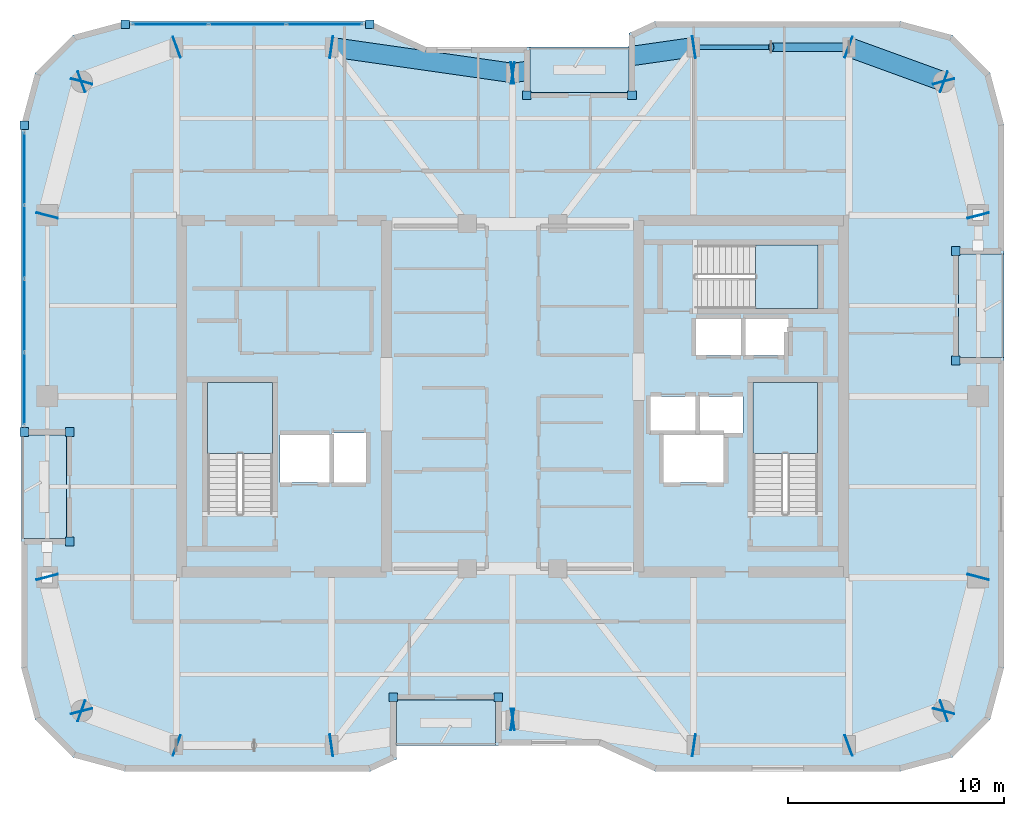
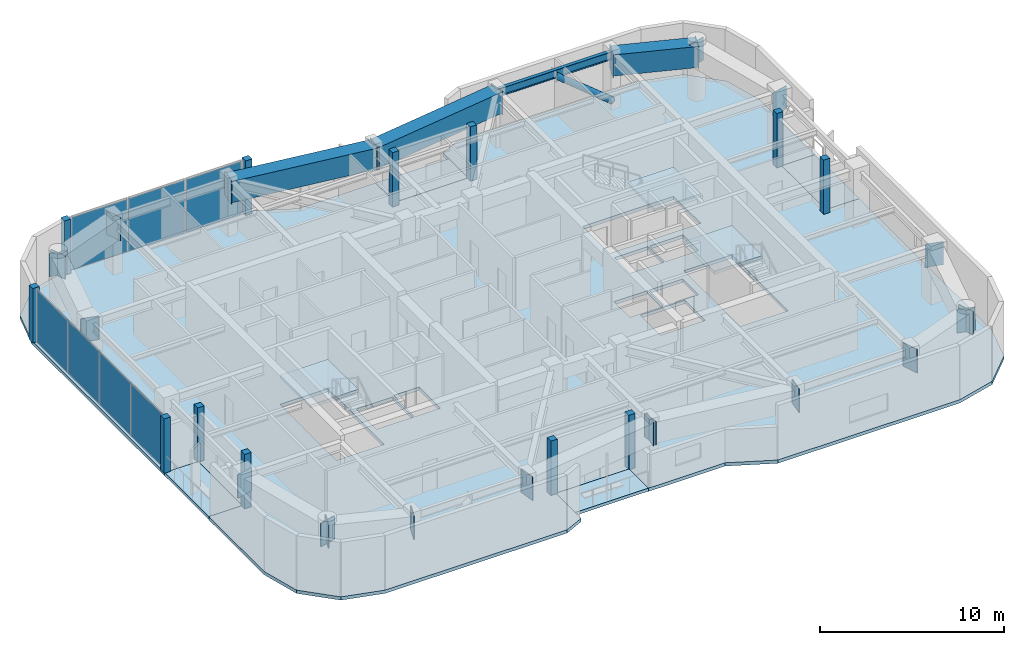
# One storey, part 7 of 15: 43 plates, 8 slabs, 4 beams, 1 member, 5 elements without a shape of their own.
"""IFC4 building model written with IfcOpenShell, lengths in metres."""

import ifcopenshell
import ifcopenshell.guid

model = None  # the IFC model being written
_history = None  # IfcOwnerHistory: only IFC2X3 demands one
_inside = {}  # id of a spatial element -> (the spatial element, [elements in it])
_under = {}  # id of a project, library or spatial element -> (it, [spatial elements below it])
_declared = {}  # id of a project -> (the project, [libraries it declares])
_typed = {}  # id of a type object -> (the type object, [elements of that type])
_made_of = {}  # id of a material, layer set ... -> (it, [elements and type objects made of it])


def new_model(schema):
    """Start an empty IFC model of exactly this schema.

    Asked for "IFC4X3", IfcOpenShell would pick the latest addendum, in which some entities
    have other attributes; the version numbers below select the first issue.
    IFC2X3 requires an IfcOwnerHistory on every rooted entity: one is made here for all.
    """
    global model, _history
    if schema == "IFC4X3":
        model = ifcopenshell.file(schema_version=(4, 3, 0, 0))
    else:
        model = ifcopenshell.file(schema=schema)
    _inside.clear()
    _under.clear()
    _declared.clear()
    _typed.clear()
    _made_of.clear()
    _history = None
    if model.schema == "IFC2X3":
        org = make("IfcOrganization", Name="unknown")
        user = make(
            "IfcPersonAndOrganization",
            ThePerson=make("IfcPerson", FamilyName="unknown"),
            TheOrganization=org,
        )
        app = make(
            "IfcApplication",
            ApplicationDeveloper=org,
            Version="unknown",
            ApplicationFullName="unknown",
            ApplicationIdentifier="unknown",
        )
        _history = make(
            "IfcOwnerHistory",
            OwningUser=user,
            OwningApplication=app,
            ChangeAction="ADDED",
            CreationDate=0,
        )
    return model


def make(cls, **values):
    """One entity of the class cls with the attributes given. An attribute that is None is left unset."""
    return model.create_entity(
        cls, **{name: value for name, value in values.items() if value is not None}
    )


def rooted(cls, **values):
    """An entity with a GlobalId (a new one), such as an element, a storey or a relation."""
    return make(cls, GlobalId=ifcopenshell.guid.new(), OwnerHistory=_history, **values)


def si_unit(unit_type, name, prefix=None):
    """IfcSIUnit, for example si_unit("LENGTHUNIT", "METRE", prefix="MILLI")."""
    return make("IfcSIUnit", UnitType=unit_type, Prefix=prefix, Name=name)


def assignment(units):
    """IfcUnitAssignment: the units of a project."""
    return None if units is None else make("IfcUnitAssignment", Units=units)


def point(xyz):
    """IfcCartesianPoint."""
    return None if xyz is None else make("IfcCartesianPoint", Coordinates=xyz)


def direction(xyz):
    """IfcDirection."""
    return None if xyz is None else make("IfcDirection", DirectionRatios=xyz)


def frame(location, z_axis=None, x_axis=None):
    """IfcAxis2Placement3D, a coordinate frame: its origin and axes. An axis left out is left unset."""
    return make(
        "IfcAxis2Placement3D",
        Location=point(location),
        Axis=direction(z_axis),
        RefDirection=direction(x_axis),
    )


def frame_2d(location, x_axis=None):
    """IfcAxis2Placement2D, a coordinate frame in the plane: its origin and x axis."""
    return make(
        "IfcAxis2Placement2D", Location=point(location), RefDirection=direction(x_axis)
    )


def origin():
    """The frame at (0, 0, 0) with its axes left unset."""
    return frame((0.0, 0.0, 0.0))


def origin_2d():
    """The frame at (0, 0) in the plane with its x axis left unset."""
    return frame_2d((0.0, 0.0))


def place(relative_to, where):
    """IfcLocalPlacement: puts the frame where relative to a parent placement (None: the world)."""
    return make(
        "IfcLocalPlacement", PlacementRelTo=relative_to, RelativePlacement=where
    )


def context(
    kind, dimensions, precision=None, world=None, true_north=None, identifier=None
):
    """IfcGeometricRepresentationContext, for example the 3D "Model" context."""
    return make(
        "IfcGeometricRepresentationContext",
        ContextIdentifier=identifier,
        ContextType=kind,
        CoordinateSpaceDimension=dimensions,
        Precision=precision,
        WorldCoordinateSystem=world,
        TrueNorth=true_north,
    )


def subcontext(parent, identifier, kind, view, scale=None):
    """IfcGeometricRepresentationSubContext, for example "Body" below "Model"."""
    return make(
        "IfcGeometricRepresentationSubContext",
        ContextIdentifier=identifier,
        ContextType=kind,
        ParentContext=parent,
        TargetScale=scale,
        TargetView=view,
    )


def project(units=None, contexts=None):
    """IfcProject with its units and contexts."""
    return rooted(
        "IfcProject",
        Name="project",
        RepresentationContexts=contexts,
        UnitsInContext=assignment(units),
    )


def spatial(cls, under=None, at=None, **own):
    """A site, building, storey or space (cls), placed at a placement, below another one or the project."""
    s = rooted(cls, ObjectPlacement=at, **own)
    if under is not None:
        _under.setdefault(under.id(), (under, []))[1].append(s)
    return s


def polyline(points):
    """IfcPolyline through the points."""
    return make("IfcPolyline", Points=[point(p) for p in points])


def profile(cls, at=None, kind="AREA", **sizes):
    """A parametric profile (cls). Its sizes go by their IFC names, for example OverallWidth=200.0."""
    return make(cls, ProfileType=kind, Position=at, **sizes)


def rectangle(**sizes):
    """IfcRectangleProfileDef."""
    return profile("IfcRectangleProfileDef", **sizes)


def hollow_rectangle(**sizes):
    """IfcRectangleHollowProfileDef."""
    return profile("IfcRectangleHollowProfileDef", **sizes)


def hollow_circle(**sizes):
    """IfcCircleHollowProfileDef."""
    return profile("IfcCircleHollowProfileDef", **sizes)


def i_section(**sizes):
    """IfcIShapeProfileDef."""
    return profile("IfcIShapeProfileDef", **sizes)


def outline(outer, holes=None, kind="AREA"):
    """IfcArbitraryClosedProfileDef: a profile drawn as a closed curve; with holes, ...WithVoids."""
    if holes is None:
        return make("IfcArbitraryClosedProfileDef", ProfileType=kind, OuterCurve=outer)
    return make(
        "IfcArbitraryProfileDefWithVoids",
        ProfileType=kind,
        OuterCurve=outer,
        InnerCurves=holes,
    )


def extrude(swept, where, along, depth):
    """IfcExtrudedAreaSolid: the profile swept, set in the frame where, extruded along a direction by depth."""
    return make(
        "IfcExtrudedAreaSolid",
        SweptArea=swept,
        Position=where,
        ExtrudedDirection=direction(along),
        Depth=depth,
    )


def shape(context_of_items, identifier, shape_type, items):
    """IfcShapeRepresentation: the items that make up one representation, for example the "Body"."""
    return make(
        "IfcShapeRepresentation",
        ContextOfItems=context_of_items,
        RepresentationIdentifier=identifier,
        RepresentationType=shape_type,
        Items=items,
    )


def material(Name=None, Category=None):
    """IfcMaterial."""
    return make("IfcMaterial", Name=Name, Category=Category)


def layer(
    of_material, thickness, ventilated=None, Name=None, Category=None, Priority=None
):
    """IfcMaterialLayer: one layer of a wall or slab, of a material (None: an air gap)."""
    return make(
        "IfcMaterialLayer",
        Material=of_material,
        LayerThickness=thickness,
        IsVentilated=ventilated,
        Name=Name,
        Category=Category,
        Priority=Priority,
    )


def layer_set(layers, Name=None):
    """IfcMaterialLayerSet."""
    return make("IfcMaterialLayerSet", MaterialLayers=layers, LayerSetName=Name)


def material_profile(
    of_material, cross_section, Name=None, Category=None, Priority=None
):
    """IfcMaterialProfile: a cross section and its material."""
    return make(
        "IfcMaterialProfile",
        Name=Name,
        Material=of_material,
        Profile=cross_section,
        Priority=Priority,
        Category=Category,
    )


def profile_set(profiles, Name=None, composite=None):
    """IfcMaterialProfileSet."""
    return make(
        "IfcMaterialProfileSet",
        Name=Name,
        MaterialProfiles=profiles,
        CompositeProfile=composite,
    )


def made_of(thing, what):
    """Note that an element or type object is made of a material, layer set ...; save() writes the relation."""
    if what is not None:
        _made_of.setdefault(what.id(), (what, []))[1].append(thing)
    return thing


def type_object(cls, material=None, **own):
    """A type object (cls), such as IfcWallType, which elements share."""
    return made_of(rooted(cls, **own), material)


def element(
    cls,
    number,
    at=None,
    inside=None,
    cuts=None,
    type_object=None,
    material=None,
    context=None,
    identifier="Body",
    shape_type=None,
    held_by="IfcProductDefinitionShape",
    body=None,
    shapes=None,
    **own,
):
    """One element of the class cls, such as IfcWall. Its Tag is "e" and its number.

    at: its placement. inside: the storey or other place that contains it. cuts: it is an
    opening in that element (IfcRelVoidsElement). A single representation is given by context,
    identifier, shape_type and body (its items); several are given by shapes. held_by: the class
    of the entity that holds the representations. save() writes the other relations.
    """
    e = rooted(cls, Tag="e%d" % number, ObjectPlacement=at, **own)
    if body is not None:
        shapes = [shape(context, identifier, shape_type, body)]
    if shapes is not None:
        e.Representation = make(held_by, Representations=shapes)
    if inside is not None:
        _inside.setdefault(inside.id(), (inside, []))[1].append(e)
    if cuts is not None:
        rooted(
            "IfcRelVoidsElement", RelatingBuildingElement=cuts, RelatedOpeningElement=e
        )
    if type_object is not None:
        _typed.setdefault(type_object.id(), (type_object, []))[1].append(e)
    return made_of(e, material)


def aggregate(whole, parts):
    """IfcRelAggregates: a whole, such as a stair, and the parts it consists of."""
    return rooted("IfcRelAggregates", RelatingObject=whole, RelatedObjects=parts)


def save(model, path):
    """Write the relations noted so far, then the file.

    IfcRelAggregates (storeys below a building ...), IfcRelContainedInSpatialStructure (elements
    in a storey), IfcRelDefinesByType, IfcRelAssociatesMaterial and IfcRelDeclares: one each for
    every whole, place, type object, material and project.
    """
    for whole, parts in _under.values():
        aggregate(whole, parts)
    for where, things in _inside.values():
        rooted(
            "IfcRelContainedInSpatialStructure",
            RelatedElements=things,
            RelatingStructure=where,
        )
    for kind, things in _typed.values():
        rooted("IfcRelDefinesByType", RelatedObjects=things, RelatingType=kind)
    for what, things in _made_of.values():
        rooted("IfcRelAssociatesMaterial", RelatedObjects=things, RelatingMaterial=what)
    for by, libraries in _declared.values():
        rooted("IfcRelDeclares", RelatingContext=by, RelatedDefinitions=libraries)
    model.write(path)


model = new_model("IFC4")

# Units and contexts
model_context = context("Model", 3, precision=1e-05, world=origin(), true_north=direction((0.0, 1.0)))
body_context = subcontext(model_context, "Body", "Model", "MODEL_VIEW")
ifc_project = project(units=[si_unit("LENGTHUNIT", "METRE"), si_unit("AREAUNIT", "SQUARE_METRE"), si_unit("VOLUMEUNIT", "CUBIC_METRE"), si_unit("PLANEANGLEUNIT", "RADIAN"), si_unit("MASSUNIT", "GRAM", prefix="KILO")], contexts=[model_context])

# Site, building, storey
site_placement = place(None, origin())
site = spatial("IfcSite", under=ifc_project, at=site_placement, CompositionType="ELEMENT")
building_placement = place(site_placement, origin())
building = spatial("IfcBuilding", under=site, at=building_placement, Name="Kiyonajd Concourse Tower", CompositionType="ELEMENT")
storey_placement = place(building_placement, frame((0.0, 0.0, 278.39990234375)))
storey = spatial("IfcBuildingStorey", under=building, at=storey_placement, Name="L70", CompositionType="ELEMENT", Elevation=278.39990234375)

# Beams
ifc_material_1 = material(Name="Steel ASTM A992 Grade 50", Category="steel")
ifc_material_profile_1 = material_profile(ifc_material_1, i_section(OverallWidth=0.2109375, OverallDepth=0.5390625, WebThickness=0.01171875, FlangeThickness=0.018798828125, at=origin_2d()), Name="W530X109")
ifc_profile_set_1 = profile_set([ifc_material_profile_1], Name="Steel ASTM A992 Grade 50")
beam_type_1 = type_object("IfcBeamType", Name="BM-SPAN-530B", PredefinedType="SPANDREL", material=ifc_profile_set_1)
beam_1_placement = place(storey_placement, frame((63.60009765625, 52.199951171875, 3.33056640625), z_axis=(-1.0, 0.0, 0.0), x_axis=(0.0, -1.0, 0.0)))
element("IfcBeam", 1, at=beam_1_placement, inside=storey, type_object=beam_type_1, Name="L70 Perimeter Bundled Tube Spandrel", PredefinedType="SPANDREL", context=body_context, shape_type="SweptSolid", body=[
    extrude(i_section(OverallWidth=0.2109375, OverallDepth=0.5390625, WebThickness=0.01171875, FlangeThickness=0.018798828125, at=origin_2d()), origin(), (0.0, 0.0, 1.0), 7.2001953125),
])
ifc_material_2 = material(Name="Steel ASTM A572 Grade 50", Category="steel")
ifc_material_profile_2 = material_profile(ifc_material_2, hollow_rectangle(XDim=0.89990234375, YDim=1.39990234375, WallThickness=0.070068359375, at=origin_2d()), Name="BOX-1400x900x70")
ifc_profile_set_2 = profile_set([ifc_material_profile_2], Name="Steel ASTM A572 Grade 50")
beam_type_2 = type_object("IfcBeamType", Name="BM-XFER-1400", PredefinedType="BEAM", material=ifc_profile_set_2)
beam_2_placement = place(storey_placement, frame((68.0, 50.60009765625, 2.900146484375), z_axis=(-0.939801036019, 0.341722127901, 0.0), x_axis=(-0.341722127901, -0.939801036019, 0.0)))
element("IfcBeam", 2, at=beam_2_placement, inside=storey, type_object=beam_type_2, Name="L70 Perimeter Bundled Tube Spandrel", PredefinedType="BEAM", context=body_context, shape_type="SweptSolid", body=[
    extrude(hollow_rectangle(XDim=0.89990234375, YDim=1.39990234375, WallThickness=0.070068359375, at=origin_2d()), origin(), (0.0, 0.0, 1.0), 4.681640625),
])
for number, where, z_axis, x_axis, name in (
    (3, (56.39990234375, 52.199951171875, 2.900146484375), (-0.989950069105, -0.141417328072, 0.0), (0.141417328072, -0.989950069105, 0.0), "L70 Perimeter Bundled Tube Spandrel"),
    (4, (48.0, 51.0, 2.900146484375), (-0.989950069105, 0.141417328072, 0.0), (-0.141417328072, -0.989950069105, 0.0), "L70 Perimeter Bundled Tube Spandrel"),
):
    element("IfcBeam", number, at=place(storey_placement, frame(where, z_axis=z_axis, x_axis=x_axis)), inside=storey, type_object=beam_type_2, Name=name, PredefinedType="BEAM", context=body_context, shape_type="SweptSolid", body=[
        extrude(hollow_rectangle(XDim=0.89990234375, YDim=1.39990234375, WallThickness=0.070068359375, at=origin_2d()), origin(), (0.0, 0.0, 1.0), 8.485107421875),
    ])

# Member
ifc_material_3 = material(Name="Steel ASTM A500 Grade C", Category="steel")
ifc_material_profile_3 = material_profile(ifc_material_3, hollow_circle(Radius=0.202880859375, WallThickness=0.01904296875, at=origin_2d()), Name="CHS-406x19")
ifc_profile_set_3 = profile_set([ifc_material_profile_3], Name="Steel ASTM A500 Grade C")
member_type = type_object("IfcMemberType", Name="MB-PB-HIGH", PredefinedType="BRACE", material=ifc_profile_set_3)
member_placement = place(storey_placement, frame((63.60009765625, 52.199951171875, 0.300048828125), z_axis=(-0.773492012438, 0.0, 0.633806048168), x_axis=(0.0, -1.0, 0.0)))
element("IfcMember", 5, at=member_placement, inside=storey, type_object=member_type, Name="L70 Upper Zone Hollow Tube Brace PBN", PredefinedType="BRACE", context=body_context, shape_type="SweptSolid", body=[
    extrude(hollow_circle(Radius=0.202880859375, WallThickness=0.01904296875, at=origin_2d()), origin(), (0.0, 0.0, 1.0), 4.654296875),
])

# Plates
ifc_layer_1 = layer(ifc_material_2, 0.031982421875)
ifc_layer_set_1 = layer_set([ifc_layer_1], Name="Steel ASTM A572 Grade 50")
plate_type_1 = type_object("IfcPlateType", Name="PL-CAP-540", PredefinedType="USERDEFINED", material=ifc_layer_set_1)
for number, where, z_axis, x_axis, name in (
    (6, (26.397216796875, 27.610595703125, 2.130126953125), (0.0, 0.0, 1.0), (-0.249873048837, 0.968278606324, 0.0), "L70 Welded Box Girder End Cap"),
    (7, (28.002685546875, 21.389404296875, 2.130126953125), (0.0, 0.0, 1.0), (0.249873048837, -0.968278606324, 0.0), "L70 Welded Box Girder End Cap"),
    (8, (27.98974609375, 21.40380859375, 2.130126953125), (0.0, 0.0, 1.0), (-0.939811951086, 0.341692107891, 0.0), "L70 Welded Box Girder End Cap"),
    (9, (32.410400390625, 19.796142578125, 2.130126953125), (0.0, 0.0, 1.0), (0.939811951086, -0.341692107891, 0.0), "L70 Welded Box Girder End Cap"),
    (10, (39.589111328125, 19.79833984375, 2.130126953125), (0.0, 0.0, 1.0), (-0.989949746297, -0.141419587774, 0.0), "L70 Welded Box Girder End Cap"),
    (11, (48.010986328125, 21.001708984375, 2.130126953125), (0.0, 0.0, 1.0), (0.989949746297, 0.141419587774, 0.0), "L70 Welded Box Girder End Cap"),
    (12, (47.989013671875, 21.001708984375, 2.130126953125), (0.0, 0.0, 1.0), (-0.989949746297, 0.141419587774, 0.0), "L70 Welded Box Girder End Cap"),
    (13, (56.410888671875, 19.79833984375, 2.130126953125), (0.0, 0.0, 1.0), (0.989949746297, -0.141419587774, 0.0), "L70 Welded Box Girder End Cap"),
    (14, (63.589599609375, 19.796142578125, 2.130126953125), (0.0, 0.0, 1.0), (-0.939811951086, -0.341692107891, 0.0), "L70 Welded Box Girder End Cap"),
    (15, (68.01025390625, 21.40380859375, 2.130126953125), (0.0, 0.0, 1.0), (0.939811951086, 0.341692107891, 0.0), "L70 Welded Box Girder End Cap"),
    (16, (67.997314453125, 21.389404296875, 2.130126953125), (0.0, 0.0, 1.0), (-0.249873048837, -0.968278606324, 0.0), "L70 Welded Box Girder End Cap"),
    (17, (69.602783203125, 27.610595703125, 2.130126953125), (0.0, 0.0, 1.0), (0.249873048837, 0.968278606324, 0.0), "L70 Welded Box Girder End Cap"),
    (18, (69.602783203125, 44.389404296875, 2.130126953125), (0.0, 0.0, 1.0), (0.249873048837, -0.968278606324, 0.0), "L70 Welded Box Girder End Cap"),
    (19, (67.997314453125, 50.610595703125, 2.130126953125), (0.0, 0.0, 1.0), (-0.249873048837, 0.968278606324, 0.0), "L70 Welded Box Girder End Cap"),
    (20, (68.01025390625, 50.59619140625, 2.130126953125), (0.0, 0.0, 1.0), (0.939811951086, -0.341692107891, 0.0), "L70 Welded Box Girder End Cap"),
    (21, (63.589599609375, 52.203857421875, 2.130126953125), (0.0, 0.0, 1.0), (-0.939811951086, 0.341692107891, 0.0), "L70 Welded Box Girder End Cap"),
    (22, (56.410888671875, 52.20166015625, 2.130126953125), (0.0, 0.0, 1.0), (0.989949746297, 0.141419587774, 0.0), "L70 Welded Box Girder End Cap"),
    (23, (47.989013671875, 50.998291015625, 2.130126953125), (0.0, 0.0, 1.0), (-0.989949746297, -0.141419587774, 0.0), "L70 Welded Box Girder End Cap"),
    (24, (48.010986328125, 50.998291015625, 2.130126953125), (0.0, 0.0, 1.0), (0.989949746297, -0.141419587774, 0.0), "L70 Welded Box Girder End Cap"),
    (25, (39.589111328125, 52.20166015625, 2.130126953125), (0.0, 0.0, 1.0), (-0.989949746297, 0.141419587774, 0.0), "L70 Welded Box Girder End Cap"),
    (26, (32.410400390625, 52.203857421875, 2.130126953125), (0.0, 0.0, 1.0), (0.939811951086, 0.341692107891, 0.0), "L70 Welded Box Girder End Cap"),
    (27, (27.98974609375, 50.59619140625, 2.130126953125), (0.0, 0.0, 1.0), (-0.939811951086, -0.341692107891, 0.0), "L70 Welded Box Girder End Cap"),
    (28, (28.002685546875, 50.610595703125, 2.130126953125), (0.0, 0.0, 1.0), (0.249873048837, 0.968278606324, 0.0), "L70 Welded Box Girder End Cap"),
    (29, (26.397216796875, 44.389404296875, 2.130126953125), (0.0, 0.0, 1.0), (-0.249873048837, -0.968278606324, 0.0), "L70 Welded Box Girder End Cap"),
):
    element("IfcPlate", number, at=place(storey_placement, frame(where, z_axis=z_axis, x_axis=x_axis)), inside=storey, type_object=plate_type_1, Name=name, ObjectType="CAP PLATE", PredefinedType="USERDEFINED", context=body_context, shape_type="SweptSolid", body=[
        extrude(rectangle(XDim=0.035888671875, YDim=1.02001953125, at=origin_2d()), origin(), (0.0, 0.0, 1.0), 1.5400390625),
    ])

# Curtain wall, plates
ifc_material_4 = material(Name="Thermally Broken Anodised Aluminium", Category="aluminium")
ifc_layer_2 = layer(ifc_material_4, 0.179931640625)
ifc_layer_set_2 = layer_set([ifc_layer_2], Name="Thermally Broken Anodised Aluminium")
curtain_wall_type = type_object("IfcCurtainWallType", Name="CW-SYS-04", PredefinedType="NOTDEFINED", material=ifc_layer_set_2)
curtain_wall_1_placement = place(storey_placement, origin())
curtain_wall_1 = element("IfcCurtainWall", 30, at=curtain_wall_1_placement, inside=storey, type_object=curtain_wall_type, Name="L70 Unitised Curtain Wall CW4", PredefinedType="NOTDEFINED")
ifc_material_5 = material(Name="Double Low-E Insulated Glass", Category="glass")
ifc_layer_3 = layer(ifc_material_5, 0.033935546875)
ifc_layer_set_3 = layer_set([ifc_layer_3], Name="Double Low-E Insulated Glass")
plate_type_2 = type_object("IfcPlateType", Name="PL-CW-VIS34", PredefinedType="CURTAIN_PANEL", material=ifc_layer_set_3)
plate_1_placement = place(storey_placement, frame((25.340087890625, 36.35400390625, 0.06494140625), z_axis=(0.0, 0.0, 1.0), x_axis=(0.0, 1.0, 0.0)))
plate_1 = element("IfcPlate", 31, at=plate_1_placement, type_object=plate_type_2, Name="CW4 panel 1.1", PredefinedType="CURTAIN_PANEL", context=body_context, shape_type="SweptSolid", body=[
    extrude(rectangle(XDim=3.31787109375, YDim=0.033935546875, at=origin_2d()), origin(), (0.0, 0.0, 1.0), 3.469970703125),
])
plate_2_placement = place(storey_placement, frame((25.340087890625, 39.753173828125, 0.06494140625), z_axis=(0.0, 0.0, 1.0), x_axis=(0.0, 1.0, 0.0)))
plate_2 = element("IfcPlate", 32, at=plate_2_placement, type_object=plate_type_2, Name="CW4 panel 2.1", PredefinedType="CURTAIN_PANEL", context=body_context, shape_type="SweptSolid", body=[
    extrude(rectangle(XDim=3.350341796875, YDim=0.033935546875, at=origin_2d()), origin(), (0.0, 0.0, 1.0), 3.469970703125),
])
plate_3_placement = place(storey_placement, frame((25.340087890625, 43.16845703125, 0.06494140625), z_axis=(0.0, 0.0, 1.0), x_axis=(0.0, 1.0, 0.0)))
plate_3 = element("IfcPlate", 33, at=plate_3_placement, type_object=plate_type_2, Name="CW4 panel 3.1", PredefinedType="CURTAIN_PANEL", context=body_context, shape_type="SweptSolid", body=[
    extrude(rectangle(XDim=3.350341796875, YDim=0.033935546875, at=origin_2d()), origin(), (0.0, 0.0, 1.0), 3.469970703125),
])
plate_4_placement = place(storey_placement, frame((25.340087890625, 46.567626953125, 0.06494140625), z_axis=(0.0, 0.0, 1.0), x_axis=(0.0, 1.0, 0.0)))
plate_4 = element("IfcPlate", 34, at=plate_4_placement, type_object=plate_type_2, Name="CW4 panel 4.1", PredefinedType="CURTAIN_PANEL", context=body_context, shape_type="SweptSolid", body=[
    extrude(rectangle(XDim=3.31787109375, YDim=0.033935546875, at=origin_2d()), origin(), (0.0, 0.0, 1.0), 3.469970703125),
])
aggregate(curtain_wall_1, [plate_1, plate_2, plate_3, plate_4])

curtain_wall_2_placement = place(storey_placement, origin())
curtain_wall_2 = element("IfcCurtainWall", 35, at=curtain_wall_2_placement, inside=storey, type_object=curtain_wall_type, Name="L70 Unitised Curtain Wall CW4", PredefinedType="NOTDEFINED")
plate_5_placement = place(storey_placement, frame((32.119873046875, 53.260009765625, 0.06494140625), z_axis=(0.0, 0.0, 1.0), x_axis=(1.0, 0.0, 0.0)))
plate_5 = element("IfcPlate", 36, at=plate_5_placement, type_object=plate_type_2, Name="CW4 panel 1.1", PredefinedType="CURTAIN_PANEL", context=body_context, shape_type="SweptSolid", body=[
    extrude(rectangle(XDim=3.492919921875, YDim=0.033935546875, at=origin_2d()), origin(), (0.0, 0.0, 1.0), 3.469970703125),
])
plate_6_placement = place(storey_placement, frame((35.69384765625, 53.260009765625, 0.06494140625), z_axis=(0.0, 0.0, 1.0), x_axis=(1.0, 0.0, 0.0)))
plate_6 = element("IfcPlate", 37, at=plate_6_placement, type_object=plate_type_2, Name="CW4 panel 2.1", PredefinedType="CURTAIN_PANEL", context=body_context, shape_type="SweptSolid", body=[
    extrude(rectangle(XDim=3.525390625, YDim=0.033935546875, at=origin_2d()), origin(), (0.0, 0.0, 1.0), 3.469970703125),
])
plate_7_placement = place(storey_placement, frame((39.267822265625, 53.260009765625, 0.06494140625), z_axis=(0.0, 0.0, 1.0), x_axis=(1.0, 0.0, 0.0)))
plate_7 = element("IfcPlate", 38, at=plate_7_placement, type_object=plate_type_2, Name="CW4 panel 3.1", PredefinedType="CURTAIN_PANEL", context=body_context, shape_type="SweptSolid", body=[
    extrude(rectangle(XDim=3.492919921875, YDim=0.033935546875, at=origin_2d()), origin(), (0.0, 0.0, 1.0), 3.469970703125),
])
aggregate(curtain_wall_2, [plate_5, plate_6, plate_7])

# Plates
ifc_layer_4 = layer(ifc_material_4, 0.39990234375)
ifc_layer_set_4 = layer_set([ifc_layer_4], Name="Thermally Broken Anodised Aluminium")
plate_type_3 = type_object("IfcPlateType", Name="PL-JMB-400", PredefinedType="USERDEFINED", material=ifc_layer_set_4)
for number, where, z_axis, x_axis, name in (
    (39, (27.43994140625, 29.260009765625, 0.0), (0.0, 0.0, 1.0), (1.0, 0.0, 0.0), "L70 Facade Jamb Closure Plate 01"),
    (40, (27.43994140625, 34.340087890625, 0.0), (0.0, 0.0, 1.0), (1.0, 0.0, 0.0), "L70 Facade Jamb Closure Plate 02"),
    (41, (25.340087890625, 34.340087890625, 0.0), (0.0, 0.0, 1.0), (1.0, 0.0, 0.0), "L70 Facade Jamb Closure Plate 03"),
    (42, (25.340087890625, 48.58154296875, 0.0), (0.0, 0.0, 1.0), (1.0, 0.0, 0.0), "L70 Facade Jamb Closure Plate 04"),
    (43, (30.018310546875, 53.260009765625, 0.0), (0.0, 0.0, 1.0), (1.0, 0.0, 0.0), "L70 Facade Jamb Closure Plate 05"),
    (44, (41.369384765625, 53.260009765625, 0.0), (0.0, 0.0, 1.0), (1.0, 0.0, 0.0), "L70 Facade Jamb Closure Plate 06"),
    (45, (48.659912109375, 49.9599609375, 0.0), (0.0, 0.0, 1.0), (1.0, 0.0, 0.0), "L70 Facade Jamb Closure Plate 07"),
    (46, (53.5400390625, 49.9599609375, 0.0), (0.0, 0.0, 1.0), (1.0, 0.0, 0.0), "L70 Facade Jamb Closure Plate 08"),
    (47, (68.56005859375, 42.739990234375, 0.0), (0.0, 0.0, 1.0), (1.0, 0.0, 0.0), "L70 Facade Jamb Closure Plate 09"),
    (48, (68.56005859375, 37.659912109375, 0.0), (0.0, 0.0, 1.0), (1.0, 0.0, 0.0), "L70 Facade Jamb Closure Plate 10"),
    (49, (47.340087890625, 22.0400390625, 0.0), (0.0, 0.0, 1.0), (1.0, 0.0, 0.0), "L70 Facade Jamb Closure Plate 11"),
    (50, (42.4599609375, 22.0400390625, 0.0), (0.0, 0.0, 1.0), (1.0, 0.0, 0.0), "L70 Facade Jamb Closure Plate 12"),
):
    element("IfcPlate", number, at=place(storey_placement, frame(where, z_axis=z_axis, x_axis=x_axis)), inside=storey, type_object=plate_type_3, Name=name, ObjectType="JAMB PLATE", PredefinedType="USERDEFINED", context=body_context, shape_type="SweptSolid", body=[
        extrude(rectangle(XDim=0.39990234375, YDim=0.39990234375, at=origin_2d()), origin(), (0.0, 0.0, 1.0), 3.60009765625),
    ])

# Stair, slab
ifc_material_6 = material(Name="Concrete C40/50", Category="concrete")
stair_type = type_object("IfcStairType", Name="ST-DLG-22R", PredefinedType="HALF_TURN_STAIR", material=ifc_material_6)
stair_1_placement = place(storey_placement, origin())
stair_1 = element("IfcStair", 51, at=stair_1_placement, inside=storey, type_object=stair_type, Name="L70 Protected Exit Stair ST1", PredefinedType="HALF_TURN_STAIR")
ifc_layer_5 = layer(ifc_material_6, 0.199951171875)
ifc_layer_set_5 = layer_set([ifc_layer_5], Name="Concrete C40/50")
slab_type_1 = type_object("IfcSlabType", Name="SL-LND-200", PredefinedType="LANDING", material=ifc_layer_set_5)
slab_1_placement = place(storey_placement, frame((0.0, 0.0, 1.75)))
slab_1 = element("IfcSlab", 52, at=slab_1_placement, type_object=slab_type_1, Name="ST1 landing 1", PredefinedType="LANDING", context=body_context, shape_type="SweptSolid", body=[
    extrude(outline(polyline([(36.85009765625, 33.35009765625), (36.85009765625, 36.64990234375), (33.85009765625, 36.64990234375), (33.85009765625, 33.35009765625), (36.85009765625, 33.35009765625)])), origin(), (0.0, 0.0, 1.0), 0.2001953125),
])
aggregate(stair_1, [slab_1])

stair_2_placement = place(storey_placement, origin())
stair_2 = element("IfcStair", 53, at=stair_2_placement, inside=storey, type_object=stair_type, Name="L70 Protected Exit Stair ST2", PredefinedType="HALF_TURN_STAIR")
slab_2_placement = place(storey_placement, frame((0.0, 0.0, 1.75)))
slab_2 = element("IfcSlab", 54, at=slab_2_placement, type_object=slab_type_1, Name="ST2 landing 1", PredefinedType="LANDING", context=body_context, shape_type="SweptSolid", body=[
    extrude(outline(polyline([(62.14990234375, 33.35009765625), (62.14990234375, 36.64990234375), (59.14990234375, 36.64990234375), (59.14990234375, 33.35009765625), (62.14990234375, 33.35009765625)])), origin(), (0.0, 0.0, 1.0), 0.2001953125),
])
aggregate(stair_2, [slab_2])

stair_3_placement = place(storey_placement, origin())
stair_3 = element("IfcStair", 55, at=stair_3_placement, inside=storey, type_object=stair_type, Name="L70 Protected Exit Stair ST3", PredefinedType="HALF_TURN_STAIR")
slab_3_placement = place(storey_placement, frame((0.0, 0.0, 1.75)))
slab_3 = element("IfcSlab", 56, at=slab_3_placement, type_object=slab_type_1, Name="ST3 landing 1", PredefinedType="LANDING", context=body_context, shape_type="SweptSolid", body=[
    extrude(outline(polyline([(59.280029296875, 40.080078125), (62.179931640625, 40.080078125), (62.179931640625, 43.02001953125), (59.280029296875, 43.02001953125), (59.280029296875, 40.080078125)])), origin(), (0.0, 0.0, 1.0), 0.2001953125),
])
aggregate(stair_3, [slab_3])

# Slabs
ifc_material_7 = material(Name="Precast concrete C50/60", Category="concrete")
ifc_layer_6 = layer(ifc_material_7, 0.199951171875)
ifc_layer_set_6 = layer_set([ifc_layer_6], Name="Precast concrete C50/60")
slab_type_2 = type_object("IfcSlabType", Name="SL-LOG-200", PredefinedType="FLOOR", material=ifc_layer_set_6)
slab_4_placement = place(storey_placement, frame((0.0, 0.0, -0.199951171875)))
element("IfcSlab", 57, at=slab_4_placement, inside=storey, type_object=slab_type_2, Name="L70 Recessed Engawa Loggia Terrace Slab LOG-S", PredefinedType="FLOOR", context=body_context, shape_type="SweptSolid", body=[
    extrude(outline(polyline([(42.60009765625, 19.800048828125), (47.199951171875, 19.800048828125), (47.199951171875, 21.89990234375), (42.60009765625, 21.89990234375), (42.60009765625, 19.800048828125)])), origin(), (0.0, 0.0, 1.0), 0.199951171875),
])
slab_5_placement = place(storey_placement, frame((0.0, 0.0, -0.199951171875)))
element("IfcSlab", 58, at=slab_5_placement, inside=storey, type_object=slab_type_2, Name="L70 Recessed Engawa Loggia Terrace Slab LOG-N", PredefinedType="FLOOR", context=body_context, shape_type="SweptSolid", body=[
    extrude(outline(polyline([(48.800048828125, 50.10009765625), (53.39990234375, 50.10009765625), (53.39990234375, 52.199951171875), (48.800048828125, 52.199951171875), (48.800048828125, 50.10009765625)])), origin(), (0.0, 0.0, 1.0), 0.199951171875),
])
slab_6_placement = place(storey_placement, frame((0.0, 0.0, -0.199951171875)))
element("IfcSlab", 59, at=slab_6_placement, inside=storey, type_object=slab_type_2, Name="L70 Recessed Engawa Loggia Terrace Slab LOG-W", PredefinedType="FLOOR", context=body_context, shape_type="SweptSolid", body=[
    extrude(outline(polyline([(25.199951171875, 29.39990234375), (27.300048828125, 29.39990234375), (27.300048828125, 34.199951171875), (25.199951171875, 34.199951171875), (25.199951171875, 29.39990234375)])), origin(), (0.0, 0.0, 1.0), 0.199951171875),
])
slab_7_placement = place(storey_placement, frame((0.0, 0.0, -0.199951171875)))
element("IfcSlab", 60, at=slab_7_placement, inside=storey, type_object=slab_type_2, Name="L70 Recessed Engawa Loggia Terrace Slab LOG-E", PredefinedType="FLOOR", context=body_context, shape_type="SweptSolid", body=[
    extrude(outline(polyline([(68.699951171875, 37.800048828125), (70.800048828125, 37.800048828125), (70.800048828125, 42.60009765625), (68.699951171875, 42.60009765625), (68.699951171875, 37.800048828125)])), origin(), (0.0, 0.0, 1.0), 0.199951171875),
])
ifc_layer_7 = layer(ifc_material_6, 0.219970703125)
ifc_layer_set_7 = layer_set([ifc_layer_7], Name="Concrete C40/50")
slab_type_3 = type_object("IfcSlabType", Name="SL-TWR-220", PredefinedType="FLOOR", material=ifc_layer_set_7)
slab_8_placement = place(storey_placement, frame((0.0, 0.0, -0.219970703125)))
element("IfcSlab", 61, at=slab_8_placement, inside=storey, type_object=slab_type_3, Name="L70 Tower Conditioned Floor Slab", PredefinedType="FLOOR", context=body_context, shape_type="SweptSolid", body=[
    extrude(outline(polyline([(25.843017578125, 21.0), (25.199951171875, 23.39990234375), (25.199951171875, 29.39990234375), (27.300048828125, 29.39990234375), (27.300048828125, 34.199951171875), (25.199951171875, 34.199951171875), (25.199951171875, 48.60009765625), (25.843017578125, 51.0), (27.60009765625, 52.757080078125), (30.0, 53.39990234375), (41.39990234375, 53.39990234375), (44.0, 52.199951171875), (48.800048828125, 52.199951171875), (48.800048828125, 50.10009765625), (53.39990234375, 50.10009765625), (53.39990234375, 52.845947265625), (54.60009765625, 53.39990234375), (66.0, 53.39990234375), (68.39990234375, 52.757080078125), (70.156982421875, 51.0), (70.800048828125, 48.60009765625), (70.800048828125, 42.60009765625), (68.699951171875, 42.60009765625), (68.699951171875, 37.800048828125), (70.800048828125, 37.800048828125), (70.800048828125, 23.39990234375), (70.156982421875, 21.0), (68.39990234375, 19.242919921875), (66.0, 18.60009765625), (54.60009765625, 18.60009765625), (52.0, 19.800048828125), (47.199951171875, 19.800048828125), (47.199951171875, 21.89990234375), (42.60009765625, 21.89990234375), (42.60009765625, 19.154052734375), (41.39990234375, 18.60009765625), (30.0, 18.60009765625), (27.60009765625, 19.242919921875), (25.843017578125, 21.0)]), holes=[polyline([(39.5, 32.0), (37.199951171875, 32.0), (37.199951171875, 34.199951171875), (39.5, 34.199951171875), (39.5, 32.0)]), polyline([(57.800048828125, 32.0), (55.0, 32.0), (55.0, 34.199951171875), (57.800048828125, 34.199951171875), (57.800048828125, 32.0)]), polyline([(41.199951171875, 32.0), (39.60009765625, 32.0), (39.60009765625, 34.300048828125), (41.199951171875, 34.300048828125), (41.199951171875, 32.0)]), polyline([(33.85009765625, 30.550048828125), (33.85009765625, 36.64990234375), (36.85009765625, 36.64990234375), (36.85009765625, 30.550048828125), (33.85009765625, 30.550048828125)]), polyline([(59.14990234375, 30.550048828125), (59.14990234375, 36.64990234375), (62.14990234375, 36.64990234375), (62.14990234375, 30.550048828125), (59.14990234375, 30.550048828125)]), polyline([(56.5, 34.300048828125), (54.39990234375, 34.300048828125), (54.39990234375, 36.0), (56.5, 36.0), (56.5, 34.300048828125)]), polyline([(58.699951171875, 34.300048828125), (56.60009765625, 34.300048828125), (56.60009765625, 36.0), (58.699951171875, 36.0), (58.699951171875, 34.300048828125)]), polyline([(58.60009765625, 37.89990234375), (56.5, 37.89990234375), (56.5, 39.60009765625), (58.60009765625, 39.60009765625), (58.60009765625, 37.89990234375)]), polyline([(58.699951171875, 37.89990234375), (58.699951171875, 39.60009765625), (60.800048828125, 39.60009765625), (60.800048828125, 37.89990234375), (58.699951171875, 37.89990234375)]), polyline([(56.47998046875, 43.02001953125), (62.179931640625, 43.02001953125), (62.179931640625, 40.080078125), (56.47998046875, 40.080078125), (56.47998046875, 43.02001953125)])]), origin(), (0.0, 0.0, 1.0), 0.219970703125),
])

save(model, "model.ifc")
